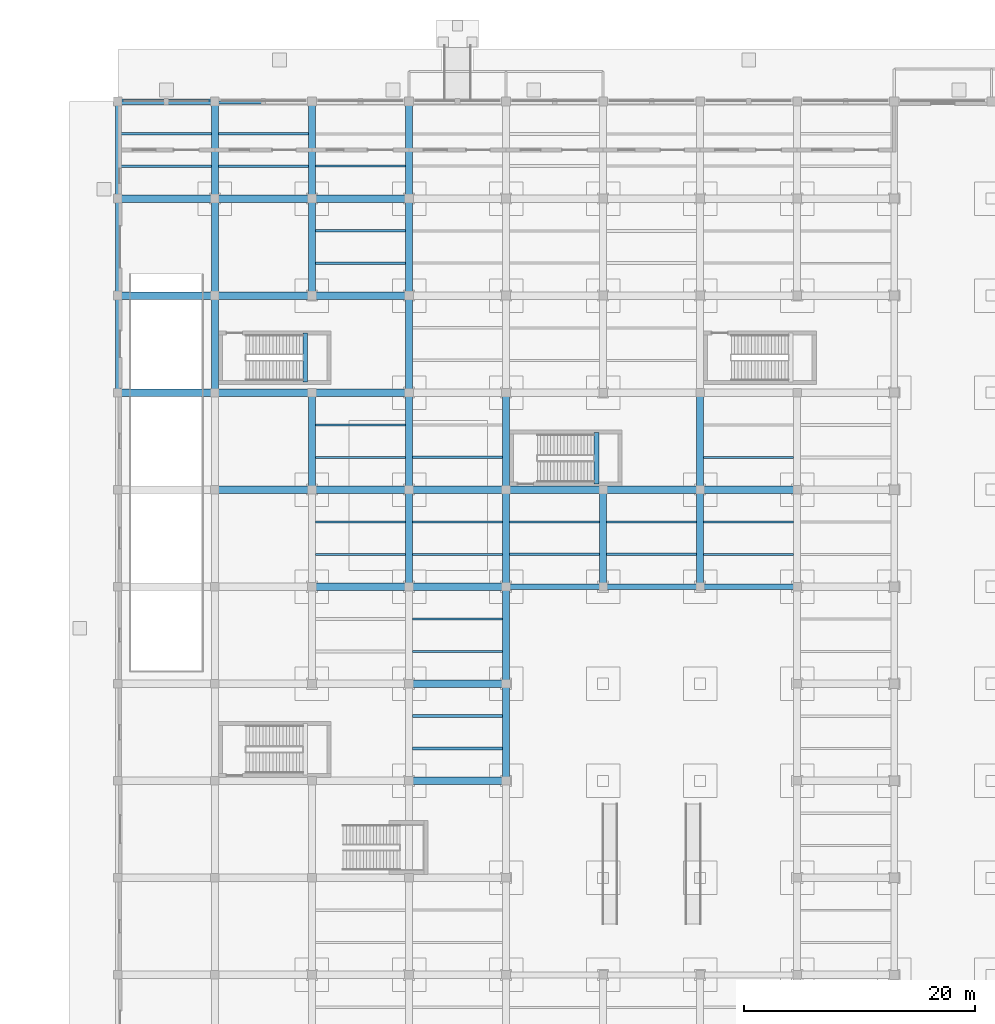
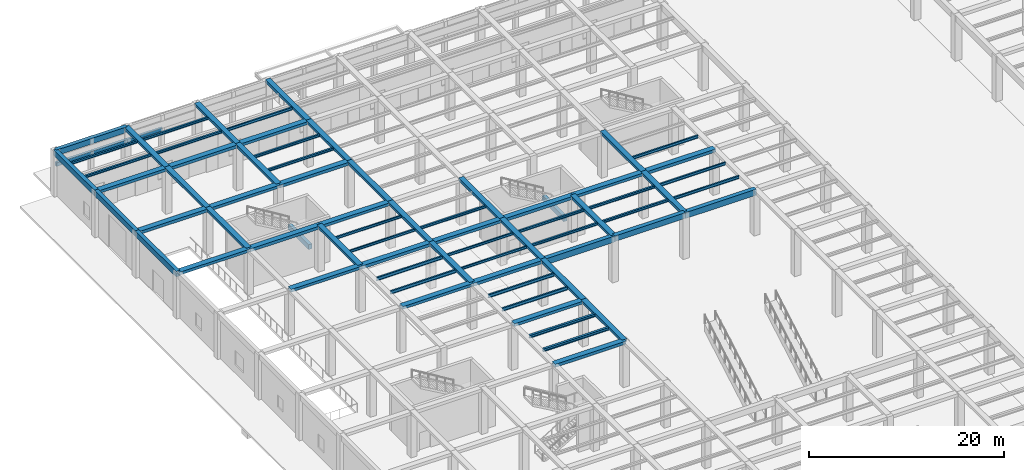
# One storey, part 8 of 43: 74 beams.
"""IFC4 building model written with IfcOpenShell, lengths in metres."""

from ifc_helpers import new_model, si_unit, direction, frame, origin, origin_2d, place, context, subcontext, project, spatial, rectangle, i_section, extrude, material, material_profile, profile_set, type_object, element, save


model = new_model("IFC4")

# Units and contexts
model_context = context("Model", 3, precision=1e-05, world=origin(), true_north=direction((0.0, 1.0)))
body_context = subcontext(model_context, "Body", "Model", "MODEL_VIEW")
ifc_project = project(units=[si_unit("LENGTHUNIT", "METRE"), si_unit("AREAUNIT", "SQUARE_METRE"), si_unit("VOLUMEUNIT", "CUBIC_METRE"), si_unit("PLANEANGLEUNIT", "RADIAN"), si_unit("MASSUNIT", "GRAM", prefix="KILO")], contexts=[model_context])

# Site, building, storey
site_placement = place(None, origin())
site = spatial("IfcSite", under=ifc_project, at=site_placement, CompositionType="ELEMENT")
building_placement = place(site_placement, origin())
building = spatial("IfcBuilding", under=site, at=building_placement, Name="Almacenes y Pasaje Nevantli", CompositionType="ELEMENT")
storey_placement = place(building_placement, origin())
storey = spatial("IfcBuildingStorey", under=building, at=storey_placement, Name="L01", CompositionType="ELEMENT", Elevation=0.0)

# Beams
ifc_material_1 = material(Name="Concrete C35/45", Category="concrete")
ifc_material_profile_1 = material_profile(ifc_material_1, rectangle(XDim=0.39990234375, YDim=0.60009765625, at=origin_2d()), Name="RC-BM-400x600")
ifc_profile_set_1 = profile_set([ifc_material_profile_1], Name="Concrete C35/45")
beam_type_1 = type_object("IfcBeamType", Name="BM-RC-400x600", PredefinedType="SPANDREL", material=ifc_profile_set_1)
beam_1_placement = place(storey_placement, frame((16.22998046875, 93.300048828125, 2.5), z_axis=(0.0, 1.0, 0.0), x_axis=(-1.0, 0.0, 0.0)))
element("IfcBeam", 1, at=beam_1_placement, inside=storey, type_object=beam_type_1, Name="L01 Stair ST-03 Half-Landing Support Beam", PredefinedType="SPANDREL", context=body_context, shape_type="SweptSolid", body=[
    extrude(rectangle(XDim=0.39990234375, YDim=0.60009765625, at=origin_2d()), origin(), (0.0, 0.0, 1.0), 4.25),
])
beam_2_placement = place(storey_placement, frame((41.429931640625, 84.5, 2.5), z_axis=(0.0, 1.0, 0.0), x_axis=(-1.0, 0.0, 0.0)))
element("IfcBeam", 2, at=beam_2_placement, inside=storey, type_object=beam_type_1, Name="L01 Stair ST-15 Half-Landing Support Beam", PredefinedType="SPANDREL", context=body_context, shape_type="SweptSolid", body=[
    extrude(rectangle(XDim=0.39990234375, YDim=0.60009765625, at=origin_2d()), origin(), (0.0, 0.0, 1.0), 4.449951171875),
])
ifc_material_2 = material(Name="Concrete C35/45", Category="concrete")
ifc_material_profile_2 = material_profile(ifc_material_2, rectangle(XDim=0.449951171875, YDim=0.699951171875, at=origin_2d()), Name="RC-BM-450x700")
ifc_profile_set_2 = profile_set([ifc_material_profile_2], Name="Concrete C35/45")
beam_type_2 = type_object("IfcBeamType", Name="BM-RC-450x700", PredefinedType="SPANDREL", material=ifc_profile_set_2)
beam_3_placement = place(storey_placement, frame((0.0, 117.60009765625, 5.35009765625), z_axis=(1.0, 0.0, 0.0), x_axis=(0.0, 1.0, 0.0)))
element("IfcBeam", 3, at=beam_3_placement, inside=storey, type_object=beam_type_2, Name="L01 East-West Reinforced Concrete Beam #1432", PredefinedType="SPANDREL", context=body_context, shape_type="SweptSolid", body=[
    extrude(rectangle(XDim=0.449951171875, YDim=0.699951171875, at=origin_2d()), origin(), (0.0, 0.0, 1.0), 8.39990234375),
])
beam_4_placement = place(storey_placement, frame((0.0, 92.39990234375, 5.35009765625), z_axis=(0.0, 1.0, 0.0), x_axis=(-1.0, 0.0, 0.0)))
element("IfcBeam", 4, at=beam_4_placement, inside=storey, type_object=beam_type_2, Name="L01 North-South Reinforced Concrete Beam #1460", PredefinedType="SPANDREL", context=body_context, shape_type="SweptSolid", body=[
    extrude(rectangle(XDim=0.449951171875, YDim=0.699951171875, at=origin_2d()), origin(), (0.0, 0.0, 1.0), 8.400146484375),
])
beam_5_placement = place(storey_placement, frame((0.0, 100.800048828125, 5.35009765625), z_axis=(0.0, 1.0, 0.0), x_axis=(-1.0, 0.0, 0.0)))
element("IfcBeam", 5, at=beam_5_placement, inside=storey, type_object=beam_type_2, Name="L01 North-South Reinforced Concrete Beam #1461", PredefinedType="SPANDREL", context=body_context, shape_type="SweptSolid", body=[
    extrude(rectangle(XDim=0.449951171875, YDim=0.699951171875, at=origin_2d()), origin(), (0.0, 0.0, 1.0), 8.39990234375),
])
beam_6_placement = place(storey_placement, frame((0.0, 109.199951171875, 5.35009765625), z_axis=(0.0, 1.0, 0.0), x_axis=(-1.0, 0.0, 0.0)))
element("IfcBeam", 6, at=beam_6_placement, inside=storey, type_object=beam_type_2, Name="L01 North-South Reinforced Concrete Beam #1462", PredefinedType="SPANDREL", context=body_context, shape_type="SweptSolid", body=[
    extrude(rectangle(XDim=0.449951171875, YDim=0.699951171875, at=origin_2d()), origin(), (0.0, 0.0, 1.0), 8.400146484375),
])
ifc_material_3 = material(Name="Concrete C35/45", Category="concrete")
ifc_material_profile_3 = material_profile(ifc_material_3, rectangle(XDim=0.5, YDim=0.699951171875, at=origin_2d()), Name="RC-BM-500x700")
ifc_profile_set_3 = profile_set([ifc_material_profile_3], Name="Concrete C35/45")
beam_type_3 = type_object("IfcBeamType", Name="BM-RC-500x700", PredefinedType="BEAM", material=ifc_profile_set_3)
beam_7_placement = place(storey_placement, frame((42.0, 75.60009765625, 5.35009765625), z_axis=(1.0, 0.0, 0.0), x_axis=(0.0, 1.0, 0.0)))
element("IfcBeam", 7, at=beam_7_placement, inside=storey, type_object=beam_type_3, Name="L01 East-West Reinforced Concrete Beam #1352", PredefinedType="BEAM", context=body_context, shape_type="SweptSolid", body=[
    extrude(rectangle(XDim=0.5, YDim=0.699951171875, at=origin_2d()), origin(), (0.0, 0.0, 1.0), 8.39990234375),
])
ifc_material_4 = material(Name="Concrete C35/45", Category="concrete")
ifc_material_profile_4 = material_profile(ifc_material_4, rectangle(XDim=0.5, YDim=0.75, at=origin_2d()), Name="RC-BM-500x750")
ifc_profile_set_4 = profile_set([ifc_material_profile_4], Name="Concrete C35/45")
beam_type_4 = type_object("IfcBeamType", Name="BM-RC-500x750", PredefinedType="BEAM", material=ifc_profile_set_4)
beam_8_placement = place(storey_placement, frame((33.60009765625, 75.60009765625, 5.324951171875), z_axis=(1.0, 0.0, 0.0), x_axis=(0.0, 1.0, 0.0)))
element("IfcBeam", 8, at=beam_8_placement, inside=storey, type_object=beam_type_4, Name="L01 East-West Reinforced Concrete Beam #1351", PredefinedType="BEAM", context=body_context, shape_type="SweptSolid", body=[
    extrude(rectangle(XDim=0.5, YDim=0.75, at=origin_2d()), origin(), (0.0, 0.0, 1.0), 8.39990234375),
])
beam_9_placement = place(storey_placement, frame((50.39990234375, 75.60009765625, 5.324951171875), z_axis=(1.0, 0.0, 0.0), x_axis=(0.0, 1.0, 0.0)))
element("IfcBeam", 9, at=beam_9_placement, inside=storey, type_object=beam_type_4, Name="L01 East-West Reinforced Concrete Beam #1353", PredefinedType="BEAM", context=body_context, shape_type="SweptSolid", body=[
    extrude(rectangle(XDim=0.5, YDim=0.75, at=origin_2d()), origin(), (0.0, 0.0, 1.0), 8.400146484375),
])
ifc_material_5 = material(Name="Concrete C35/45", Category="concrete")
ifc_material_profile_5 = material_profile(ifc_material_5, rectangle(XDim=0.60009765625, YDim=0.320068359375, at=origin_2d()), Name="RC-BM-600x320")
ifc_profile_set_5 = profile_set([ifc_material_profile_5], Name="Concrete C35/45")
beam_type_5 = type_object("IfcBeamType", Name="BM-RC-600x320", PredefinedType="BEAM", material=ifc_profile_set_5)
beam_10_placement = place(storey_placement, frame((8.39990234375, 100.800048828125, 5.5400390625), z_axis=(0.0, 1.0, 0.0), x_axis=(-1.0, 0.0, 0.0)))
element("IfcBeam", 10, at=beam_10_placement, inside=storey, type_object=beam_type_5, Name="L01 North-South Reinforced Concrete Beam #1472", PredefinedType="BEAM", context=body_context, shape_type="SweptSolid", body=[
    extrude(rectangle(XDim=0.60009765625, YDim=0.320068359375, at=origin_2d()), origin(), (0.0, 0.0, 1.0), 8.39990234375),
])
beam_11_placement = place(storey_placement, frame((16.800048828125, 109.199951171875, 5.5400390625), z_axis=(0.0, 1.0, 0.0), x_axis=(-1.0, 0.0, 0.0)))
element("IfcBeam", 11, at=beam_11_placement, inside=storey, type_object=beam_type_5, Name="L01 North-South Reinforced Concrete Beam #1482", PredefinedType="BEAM", context=body_context, shape_type="SweptSolid", body=[
    extrude(rectangle(XDim=0.60009765625, YDim=0.320068359375, at=origin_2d()), origin(), (0.0, 0.0, 1.0), 8.400146484375),
])
for number, where, z_axis, x_axis, name in (
    (12, (25.199951171875, 84.0, 5.5400390625), (0.0, 1.0, 0.0), (-1.0, 0.0, 0.0), "L01 North-South Reinforced Concrete Beam #1493"),
    (13, (25.199951171875, 100.800048828125, 5.5400390625), (0.0, 1.0, 0.0), (-1.0, 0.0, 0.0), "L01 North-South Reinforced Concrete Beam #1495"),
    (14, (33.60009765625, 58.800048828125, 5.5400390625), (0.0, 1.0, 0.0), (-1.0, 0.0, 0.0), "L01 North-South Reinforced Concrete Beam #1503"),
    (15, (33.60009765625, 75.60009765625, 5.5400390625), (0.0, 1.0, 0.0), (-1.0, 0.0, 0.0), "L01 North-South Reinforced Concrete Beam #1505"),
    (16, (50.39990234375, 75.60009765625, 5.5400390625), (0.0, 1.0, 0.0), (-1.0, 0.0, 0.0), "L01 North-South Reinforced Concrete Beam #1523"),
):
    element("IfcBeam", number, at=place(storey_placement, frame(where, z_axis=z_axis, x_axis=x_axis)), inside=storey, type_object=beam_type_5, Name=name, PredefinedType="BEAM", context=body_context, shape_type="SweptSolid", body=[
        extrude(rectangle(XDim=0.60009765625, YDim=0.320068359375, at=origin_2d()), origin(), (0.0, 0.0, 1.0), 8.39990234375),
    ])
ifc_material_6 = material(Name="Concrete C35/45", Category="concrete")
ifc_material_profile_6 = material_profile(ifc_material_6, rectangle(XDim=0.60009765625, YDim=0.340087890625, at=origin_2d()), Name="RC-BM-600x340")
ifc_profile_set_6 = profile_set([ifc_material_profile_6], Name="Concrete C35/45")
beam_type_6 = type_object("IfcBeamType", Name="BM-RC-600x340", PredefinedType="BEAM", material=ifc_profile_set_6)
for number, where, z_axis, x_axis, name in (
    (17, (8.39990234375, 92.39990234375, 5.530029296875), (0.0, 1.0, 0.0), (-1.0, 0.0, 0.0), "L01 North-South Reinforced Concrete Beam #1471"),
    (18, (8.39990234375, 109.199951171875, 5.530029296875), (0.0, 1.0, 0.0), (-1.0, 0.0, 0.0), "L01 North-South Reinforced Concrete Beam #1473"),
):
    element("IfcBeam", number, at=place(storey_placement, frame(where, z_axis=z_axis, x_axis=x_axis)), inside=storey, type_object=beam_type_6, Name=name, PredefinedType="BEAM", context=body_context, shape_type="SweptSolid", body=[
        extrude(rectangle(XDim=0.60009765625, YDim=0.340087890625, at=origin_2d()), origin(), (0.0, 0.0, 1.0), 8.400146484375),
    ])
for number, where, z_axis, x_axis, name in (
    (19, (16.800048828125, 84.0, 5.530029296875), (0.0, 1.0, 0.0), (-1.0, 0.0, 0.0), "L01 North-South Reinforced Concrete Beam #1480"),
    (20, (16.800048828125, 100.800048828125, 5.530029296875), (0.0, 1.0, 0.0), (-1.0, 0.0, 0.0), "L01 North-South Reinforced Concrete Beam #1481"),
    (21, (25.199951171875, 75.60009765625, 5.530029296875), (0.0, 1.0, 0.0), (-1.0, 0.0, 0.0), "L01 North-South Reinforced Concrete Beam #1492"),
):
    element("IfcBeam", number, at=place(storey_placement, frame(where, z_axis=z_axis, x_axis=x_axis)), inside=storey, type_object=beam_type_6, Name=name, PredefinedType="BEAM", context=body_context, shape_type="SweptSolid", body=[
        extrude(rectangle(XDim=0.60009765625, YDim=0.340087890625, at=origin_2d()), origin(), (0.0, 0.0, 1.0), 8.39990234375),
    ])
for number, where, z_axis, x_axis, name in (
    (22, (25.199951171875, 92.39990234375, 5.530029296875), (0.0, 1.0, 0.0), (-1.0, 0.0, 0.0), "L01 North-South Reinforced Concrete Beam #1494"),
    (23, (25.199951171875, 109.199951171875, 5.530029296875), (0.0, 1.0, 0.0), (-1.0, 0.0, 0.0), "L01 North-South Reinforced Concrete Beam #1496"),
    (24, (33.60009765625, 67.199951171875, 5.530029296875), (0.0, 1.0, 0.0), (-1.0, 0.0, 0.0), "L01 North-South Reinforced Concrete Beam #1504"),
):
    element("IfcBeam", number, at=place(storey_placement, frame(where, z_axis=z_axis, x_axis=x_axis)), inside=storey, type_object=beam_type_6, Name=name, PredefinedType="BEAM", context=body_context, shape_type="SweptSolid", body=[
        extrude(rectangle(XDim=0.60009765625, YDim=0.340087890625, at=origin_2d()), origin(), (0.0, 0.0, 1.0), 8.400146484375),
    ])
for number, where, z_axis, x_axis, name in (
    (25, (33.60009765625, 84.0, 5.530029296875), (0.0, 1.0, 0.0), (-1.0, 0.0, 0.0), "L01 North-South Reinforced Concrete Beam #1506"),
    (26, (42.0, 75.60009765625, 5.530029296875), (0.0, 1.0, 0.0), (-1.0, 0.0, 0.0), "L01 North-South Reinforced Concrete Beam #1515"),
    (27, (50.39990234375, 84.0, 5.530029296875), (0.0, 1.0, 0.0), (-1.0, 0.0, 0.0), "L01 North-South Reinforced Concrete Beam #1524"),
):
    element("IfcBeam", number, at=place(storey_placement, frame(where, z_axis=z_axis, x_axis=x_axis)), inside=storey, type_object=beam_type_6, Name=name, PredefinedType="BEAM", context=body_context, shape_type="SweptSolid", body=[
        extrude(rectangle(XDim=0.60009765625, YDim=0.340087890625, at=origin_2d()), origin(), (0.0, 0.0, 1.0), 8.39990234375),
    ])
ifc_material_7 = material(Name="Concrete C35/45", Category="concrete")
ifc_material_profile_7 = material_profile(ifc_material_7, rectangle(XDim=0.64990234375, YDim=0.35009765625, at=origin_2d()), Name="RC-BM-650x350")
ifc_profile_set_7 = profile_set([ifc_material_profile_7], Name="Concrete C35/45")
beam_type_7 = type_object("IfcBeamType", Name="BM-RC-650x350", PredefinedType="BEAM", material=ifc_profile_set_7)
beam_12_placement = place(storey_placement, frame((25.199951171875, 67.199951171875, 5.52490234375), z_axis=(1.0, 0.0, 0.0), x_axis=(0.0, 1.0, 0.0)))
element("IfcBeam", 28, at=beam_12_placement, inside=storey, type_object=beam_type_7, Name="L01 East-West Reinforced Concrete Beam #1336", PredefinedType="BEAM", context=body_context, shape_type="SweptSolid", body=[
    extrude(rectangle(XDim=0.64990234375, YDim=0.35009765625, at=origin_2d()), origin(), (0.0, 0.0, 1.0), 8.400146484375),
])
beam_13_placement = place(storey_placement, frame((16.800048828125, 75.60009765625, 5.52490234375), z_axis=(1.0, 0.0, 0.0), x_axis=(0.0, 1.0, 0.0)))
element("IfcBeam", 29, at=beam_13_placement, inside=storey, type_object=beam_type_7, Name="L01 East-West Reinforced Concrete Beam #1349", PredefinedType="BEAM", context=body_context, shape_type="SweptSolid", body=[
    extrude(rectangle(XDim=0.64990234375, YDim=0.35009765625, at=origin_2d()), origin(), (0.0, 0.0, 1.0), 8.39990234375),
])
for number, where, z_axis, x_axis, name in (
    (30, (8.39990234375, 84.0, 5.52490234375), (1.0, 0.0, 0.0), (0.0, 1.0, 0.0), "L01 East-West Reinforced Concrete Beam #1365"),
    (31, (25.199951171875, 84.0, 5.52490234375), (1.0, 0.0, 0.0), (0.0, 1.0, 0.0), "L01 East-West Reinforced Concrete Beam #1367"),
):
    element("IfcBeam", number, at=place(storey_placement, frame(where, z_axis=z_axis, x_axis=x_axis)), inside=storey, type_object=beam_type_7, Name=name, PredefinedType="BEAM", context=body_context, shape_type="SweptSolid", body=[
        extrude(rectangle(XDim=0.64990234375, YDim=0.35009765625, at=origin_2d()), origin(), (0.0, 0.0, 1.0), 8.400146484375),
    ])
for number, where, z_axis, x_axis, name in (
    (32, (42.0, 84.0, 5.52490234375), (1.0, 0.0, 0.0), (0.0, 1.0, 0.0), "L01 East-West Reinforced Concrete Beam #1369"),
    (33, (0.0, 92.39990234375, 5.52490234375), (1.0, 0.0, 0.0), (0.0, 1.0, 0.0), "L01 East-West Reinforced Concrete Beam #1381"),
    (34, (16.800048828125, 92.39990234375, 5.52490234375), (1.0, 0.0, 0.0), (0.0, 1.0, 0.0), "L01 East-West Reinforced Concrete Beam #1383"),
):
    element("IfcBeam", number, at=place(storey_placement, frame(where, z_axis=z_axis, x_axis=x_axis)), inside=storey, type_object=beam_type_7, Name=name, PredefinedType="BEAM", context=body_context, shape_type="SweptSolid", body=[
        extrude(rectangle(XDim=0.64990234375, YDim=0.35009765625, at=origin_2d()), origin(), (0.0, 0.0, 1.0), 8.39990234375),
    ])
beam_14_placement = place(storey_placement, frame((8.39990234375, 100.800048828125, 5.52490234375), z_axis=(1.0, 0.0, 0.0), x_axis=(0.0, 1.0, 0.0)))
element("IfcBeam", 35, at=beam_14_placement, inside=storey, type_object=beam_type_7, Name="L01 East-West Reinforced Concrete Beam #1399", PredefinedType="BEAM", context=body_context, shape_type="SweptSolid", body=[
    extrude(rectangle(XDim=0.64990234375, YDim=0.35009765625, at=origin_2d()), origin(), (0.0, 0.0, 1.0), 8.400146484375),
])
for number, where, z_axis, x_axis, name in (
    (36, (0.0, 109.199951171875, 5.52490234375), (1.0, 0.0, 0.0), (0.0, 1.0, 0.0), "L01 East-West Reinforced Concrete Beam #1415"),
    (37, (16.800048828125, 109.199951171875, 5.52490234375), (1.0, 0.0, 0.0), (0.0, 1.0, 0.0), "L01 East-West Reinforced Concrete Beam #1417"),
):
    element("IfcBeam", number, at=place(storey_placement, frame(where, z_axis=z_axis, x_axis=x_axis)), inside=storey, type_object=beam_type_7, Name=name, PredefinedType="BEAM", context=body_context, shape_type="SweptSolid", body=[
        extrude(rectangle(XDim=0.64990234375, YDim=0.35009765625, at=origin_2d()), origin(), (0.0, 0.0, 1.0), 8.39990234375),
    ])
ifc_material_8 = material(Name="Concrete C35/45", Category="concrete")
ifc_material_profile_8 = material_profile(ifc_material_8, rectangle(XDim=0.64990234375, YDim=0.3798828125, at=origin_2d()), Name="RC-BM-650x380")
ifc_profile_set_8 = profile_set([ifc_material_profile_8], Name="Concrete C35/45")
beam_type_8 = type_object("IfcBeamType", Name="BM-RC-650x380", PredefinedType="BEAM", material=ifc_profile_set_8)
for number, where, z_axis, x_axis, name in (
    (38, (25.199951171875, 58.800048828125, 5.510009765625), (1.0, 0.0, 0.0), (0.0, 1.0, 0.0), "L01 East-West Reinforced Concrete Beam #1322"),
    (39, (25.199951171875, 75.60009765625, 5.510009765625), (1.0, 0.0, 0.0), (0.0, 1.0, 0.0), "L01 East-West Reinforced Concrete Beam #1350"),
):
    element("IfcBeam", number, at=place(storey_placement, frame(where, z_axis=z_axis, x_axis=x_axis)), inside=storey, type_object=beam_type_8, Name=name, PredefinedType="BEAM", context=body_context, shape_type="SweptSolid", body=[
        extrude(rectangle(XDim=0.64990234375, YDim=0.3798828125, at=origin_2d()), origin(), (0.0, 0.0, 1.0), 8.400146484375),
    ])
for number, where, z_axis, x_axis, name in (
    (40, (16.800048828125, 84.0, 5.510009765625), (1.0, 0.0, 0.0), (0.0, 1.0, 0.0), "L01 East-West Reinforced Concrete Beam #1366"),
    (41, (33.60009765625, 84.0, 5.510009765625), (1.0, 0.0, 0.0), (0.0, 1.0, 0.0), "L01 East-West Reinforced Concrete Beam #1368"),
):
    element("IfcBeam", number, at=place(storey_placement, frame(where, z_axis=z_axis, x_axis=x_axis)), inside=storey, type_object=beam_type_8, Name=name, PredefinedType="BEAM", context=body_context, shape_type="SweptSolid", body=[
        extrude(rectangle(XDim=0.64990234375, YDim=0.3798828125, at=origin_2d()), origin(), (0.0, 0.0, 1.0), 8.39990234375),
    ])
for number, where, z_axis, x_axis, name in (
    (42, (50.39990234375, 84.0, 5.510009765625), (1.0, 0.0, 0.0), (0.0, 1.0, 0.0), "L01 East-West Reinforced Concrete Beam #1370"),
    (43, (8.39990234375, 92.39990234375, 5.510009765625), (1.0, 0.0, 0.0), (0.0, 1.0, 0.0), "L01 East-West Reinforced Concrete Beam #1382"),
):
    element("IfcBeam", number, at=place(storey_placement, frame(where, z_axis=z_axis, x_axis=x_axis)), inside=storey, type_object=beam_type_8, Name=name, PredefinedType="BEAM", context=body_context, shape_type="SweptSolid", body=[
        extrude(rectangle(XDim=0.64990234375, YDim=0.3798828125, at=origin_2d()), origin(), (0.0, 0.0, 1.0), 8.400146484375),
    ])
for number, where, z_axis, x_axis, name in (
    (44, (0.0, 100.800048828125, 5.510009765625), (1.0, 0.0, 0.0), (0.0, 1.0, 0.0), "L01 East-West Reinforced Concrete Beam #1398"),
    (45, (16.800048828125, 100.800048828125, 5.510009765625), (1.0, 0.0, 0.0), (0.0, 1.0, 0.0), "L01 East-West Reinforced Concrete Beam #1400"),
):
    element("IfcBeam", number, at=place(storey_placement, frame(where, z_axis=z_axis, x_axis=x_axis)), inside=storey, type_object=beam_type_8, Name=name, PredefinedType="BEAM", context=body_context, shape_type="SweptSolid", body=[
        extrude(rectangle(XDim=0.64990234375, YDim=0.3798828125, at=origin_2d()), origin(), (0.0, 0.0, 1.0), 8.39990234375),
    ])
beam_15_placement = place(storey_placement, frame((8.39990234375, 109.199951171875, 5.510009765625), z_axis=(1.0, 0.0, 0.0), x_axis=(0.0, 1.0, 0.0)))
element("IfcBeam", 46, at=beam_15_placement, inside=storey, type_object=beam_type_8, Name="L01 East-West Reinforced Concrete Beam #1416", PredefinedType="BEAM", context=body_context, shape_type="SweptSolid", body=[
    extrude(rectangle(XDim=0.64990234375, YDim=0.3798828125, at=origin_2d()), origin(), (0.0, 0.0, 1.0), 8.400146484375),
])
ifc_material_9 = material(Name="Concrete C35/45", Category="concrete")
ifc_material_profile_9 = material_profile(ifc_material_9, rectangle(XDim=0.25, YDim=0.39990234375, at=origin_2d()), Name="RC-LIN-250x400")
ifc_profile_set_9 = profile_set([ifc_material_profile_9], Name="Concrete C35/45")
beam_type_9 = type_object("IfcBeamType", Name="BM-RC-LIN250", PredefinedType="LINTEL", material=ifc_profile_set_9)
beam_16_placement = place(storey_placement, frame((8.39990234375, 117.5, 3.89990234375), z_axis=(1.0, 0.0, 0.0), x_axis=(0.0, 1.0, 0.0)))
element("IfcBeam", 47, at=beam_16_placement, inside=storey, type_object=beam_type_9, Name="L01 Boulevard Portales Architrave Beam 2A", PredefinedType="LINTEL", context=body_context, shape_type="SweptSolid", body=[
    extrude(rectangle(XDim=0.25, YDim=0.39990234375, at=origin_2d()), origin(), (0.0, 0.0, 1.0), 4.2001953125),
])
ifc_material_10 = material(Name="Concrete C35/45", Category="concrete")
ifc_material_profile_10 = material_profile(ifc_material_10, rectangle(XDim=0.300048828125, YDim=0.449951171875, at=origin_2d()), Name="RC-LIN-300x450")
ifc_profile_set_10 = profile_set([ifc_material_profile_10], Name="Concrete C35/45")
beam_type_10 = type_object("IfcBeamType", Name="BM-RC-LIN300", PredefinedType="LINTEL", material=ifc_profile_set_10)
for number, where, z_axis, x_axis, name in (
    (48, (0.0, 117.5, 3.875), (1.0, 0.0, 0.0), (0.0, 1.0, 0.0), "L01 Boulevard Portales Architrave Beam 1A"),
    (49, (4.199951171875, 117.5, 3.875), (1.0, 0.0, 0.0), (0.0, 1.0, 0.0), "L01 Boulevard Portales Architrave Beam 1B"),
):
    element("IfcBeam", number, at=place(storey_placement, frame(where, z_axis=z_axis, x_axis=x_axis)), inside=storey, type_object=beam_type_10, Name=name, PredefinedType="LINTEL", context=body_context, shape_type="SweptSolid", body=[
        extrude(rectangle(XDim=0.300048828125, YDim=0.449951171875, at=origin_2d()), origin(), (0.0, 0.0, 1.0), 4.199951171875),
    ])
ifc_material_11 = material(Name="Steel ASTM A992", Category="steel")
ifc_material_profile_11 = material_profile(ifc_material_11, i_section(OverallWidth=0.1650390625, OverallDepth=0.306884765625, WebThickness=0.006591796875, FlangeThickness=0.01025390625, at=origin_2d()), Name="IR 305x44.6")
ifc_profile_set_11 = profile_set([ifc_material_profile_11], Name="Steel ASTM A992")
beam_type_11 = type_object("IfcBeamType", Name="BM-STL-IR-305x44p6", PredefinedType="JOIST", material=ifc_profile_set_11)
for number, where, z_axis, x_axis, name in (
    (50, (17.10009765625, 86.800048828125, 5.53857421875), (1.0, 0.0, 0.0), (0.0, 1.0, 0.0), "L01 Secondary Steel Floor Joist #15"),
    (51, (17.10009765625, 89.60009765625, 5.53857421875), (1.0, 0.0, 0.0), (0.0, 1.0, 0.0), "L01 Secondary Steel Floor Joist #16"),
):
    element("IfcBeam", number, at=place(storey_placement, frame(where, z_axis=z_axis, x_axis=x_axis)), inside=storey, type_object=beam_type_11, Name=name, PredefinedType="JOIST", context=body_context, shape_type="SweptSolid", body=[
        extrude(i_section(OverallWidth=0.1650390625, OverallDepth=0.306884765625, WebThickness=0.006591796875, FlangeThickness=0.01025390625, at=origin_2d()), origin(), (0.0, 0.0, 1.0), 7.7998046875),
    ])
for number, where, z_axis, x_axis, name in (
    (52, (25.5, 78.39990234375, 5.53857421875), (1.0, 0.0, 0.0), (0.0, 1.0, 0.0), "L01 Secondary Steel Floor Joist #35"),
    (53, (25.5, 81.199951171875, 5.53857421875), (1.0, 0.0, 0.0), (0.0, 1.0, 0.0), "L01 Secondary Steel Floor Joist #36"),
):
    element("IfcBeam", number, at=place(storey_placement, frame(where, z_axis=z_axis, x_axis=x_axis)), inside=storey, type_object=beam_type_11, Name=name, PredefinedType="JOIST", context=body_context, shape_type="SweptSolid", body=[
        extrude(i_section(OverallWidth=0.1650390625, OverallDepth=0.306884765625, WebThickness=0.006591796875, FlangeThickness=0.01025390625, at=origin_2d()), origin(), (0.0, 0.0, 1.0), 7.800048828125),
    ])
ifc_material_12 = material(Name="Steel ASTM A992", Category="steel")
ifc_material_profile_12 = material_profile(ifc_material_12, i_section(OverallWidth=0.202880859375, OverallDepth=0.304931640625, WebThickness=0.007568359375, FlangeThickness=0.01318359375, at=origin_2d()), Name="IR 305x59.5")
ifc_profile_set_12 = profile_set([ifc_material_profile_12], Name="Steel ASTM A992")
beam_type_12 = type_object("IfcBeamType", Name="BM-STL-IR-305x59p5", PredefinedType="JOIST", material=ifc_profile_set_12)
for number, where, z_axis, x_axis, name in (
    (54, (0.22509765625, 112.0, 5.53955078125), (1.0, 0.0, 0.0), (0.0, 1.0, 0.0), "L01 Secondary Steel Floor Joist #1"),
    (55, (0.22509765625, 114.800048828125, 5.53955078125), (1.0, 0.0, 0.0), (0.0, 1.0, 0.0), "L01 Secondary Steel Floor Joist #2"),
):
    element("IfcBeam", number, at=place(storey_placement, frame(where, z_axis=z_axis, x_axis=x_axis)), inside=storey, type_object=beam_type_12, Name=name, PredefinedType="JOIST", context=body_context, shape_type="SweptSolid", body=[
        extrude(i_section(OverallWidth=0.202880859375, OverallDepth=0.304931640625, WebThickness=0.007568359375, FlangeThickness=0.01318359375, at=origin_2d()), origin(), (0.0, 0.0, 1.0), 7.875),
    ])
for number, where, z_axis, x_axis, name in (
    (56, (25.5, 86.800048828125, 5.53955078125), (1.0, 0.0, 0.0), (0.0, 1.0, 0.0), "L01 Secondary Steel Floor Joist #37"),
    (57, (33.89990234375, 78.39990234375, 5.53955078125), (1.0, 0.0, 0.0), (0.0, 1.0, 0.0), "L01 Secondary Steel Floor Joist #53"),
    (58, (33.89990234375, 81.199951171875, 5.53955078125), (1.0, 0.0, 0.0), (0.0, 1.0, 0.0), "L01 Secondary Steel Floor Joist #54"),
):
    element("IfcBeam", number, at=place(storey_placement, frame(where, z_axis=z_axis, x_axis=x_axis)), inside=storey, type_object=beam_type_12, Name=name, PredefinedType="JOIST", context=body_context, shape_type="SweptSolid", body=[
        extrude(i_section(OverallWidth=0.202880859375, OverallDepth=0.304931640625, WebThickness=0.007568359375, FlangeThickness=0.01318359375, at=origin_2d()), origin(), (0.0, 0.0, 1.0), 7.800048828125),
    ])
ifc_material_13 = material(Name="Steel ASTM A992", Category="steel")
ifc_material_profile_13 = material_profile(ifc_material_13, i_section(OverallWidth=0.205078125, OverallDepth=0.31005859375, WebThickness=0.009521484375, FlangeThickness=0.016357421875, at=origin_2d()), Name="IR 305x74.4")
ifc_profile_set_13 = profile_set([ifc_material_profile_13], Name="Steel ASTM A992")
beam_type_13 = type_object("IfcBeamType", Name="BM-STL-IR-305x74p4", PredefinedType="JOIST", material=ifc_profile_set_13)
for number, where, z_axis, x_axis, name in (
    (59, (8.699951171875, 112.0, 5.537109375), (1.0, 0.0, 0.0), (0.0, 1.0, 0.0), "L01 Secondary Steel Floor Joist #3"),
    (60, (8.699951171875, 114.800048828125, 5.537109375), (1.0, 0.0, 0.0), (0.0, 1.0, 0.0), "L01 Secondary Steel Floor Joist #4"),
):
    element("IfcBeam", number, at=place(storey_placement, frame(where, z_axis=z_axis, x_axis=x_axis)), inside=storey, type_object=beam_type_13, Name=name, PredefinedType="JOIST", context=body_context, shape_type="SweptSolid", body=[
        extrude(i_section(OverallWidth=0.205078125, OverallDepth=0.31005859375, WebThickness=0.009521484375, FlangeThickness=0.016357421875, at=origin_2d()), origin(), (0.0, 0.0, 1.0), 7.800048828125),
    ])
for number, where, z_axis, x_axis, name in (
    (61, (17.10009765625, 103.60009765625, 5.537109375), (1.0, 0.0, 0.0), (0.0, 1.0, 0.0), "L01 Secondary Steel Floor Joist #17"),
    (62, (17.10009765625, 106.39990234375, 5.537109375), (1.0, 0.0, 0.0), (0.0, 1.0, 0.0), "L01 Secondary Steel Floor Joist #18"),
):
    element("IfcBeam", number, at=place(storey_placement, frame(where, z_axis=z_axis, x_axis=x_axis)), inside=storey, type_object=beam_type_13, Name=name, PredefinedType="JOIST", context=body_context, shape_type="SweptSolid", body=[
        extrude(i_section(OverallWidth=0.205078125, OverallDepth=0.31005859375, WebThickness=0.009521484375, FlangeThickness=0.016357421875, at=origin_2d()), origin(), (0.0, 0.0, 1.0), 7.7998046875),
    ])
for number, where, z_axis, x_axis, name in (
    (63, (42.300048828125, 78.39990234375, 5.537109375), (1.0, 0.0, 0.0), (0.0, 1.0, 0.0), "L01 Secondary Steel Floor Joist #69"),
    (64, (42.300048828125, 81.199951171875, 5.537109375), (1.0, 0.0, 0.0), (0.0, 1.0, 0.0), "L01 Secondary Steel Floor Joist #70"),
):
    element("IfcBeam", number, at=place(storey_placement, frame(where, z_axis=z_axis, x_axis=x_axis)), inside=storey, type_object=beam_type_13, Name=name, PredefinedType="JOIST", context=body_context, shape_type="SweptSolid", body=[
        extrude(i_section(OverallWidth=0.205078125, OverallDepth=0.31005859375, WebThickness=0.009521484375, FlangeThickness=0.016357421875, at=origin_2d()), origin(), (0.0, 0.0, 1.0), 7.800048828125),
    ])
ifc_material_14 = material(Name="Steel ASTM A992", Category="steel")
ifc_material_profile_14 = material_profile(ifc_material_14, i_section(OverallWidth=0.173095703125, OverallDepth=0.35302734375, WebThickness=0.0078125, FlangeThickness=0.01318359375, at=origin_2d()), Name="IR 356x56.6")
ifc_profile_set_14 = profile_set([ifc_material_profile_14], Name="Steel ASTM A992")
beam_type_14 = type_object("IfcBeamType", Name="BM-STL-IR-356x56p6", PredefinedType="JOIST", material=ifc_profile_set_14)
beam_17_placement = place(storey_placement, frame((17.10009765625, 112.0, 5.515380859375), z_axis=(1.0, 0.0, 0.0), x_axis=(0.0, 1.0, 0.0)))
element("IfcBeam", 65, at=beam_17_placement, inside=storey, type_object=beam_type_14, Name="L01 Secondary Steel Floor Joist #19", PredefinedType="JOIST", context=body_context, shape_type="SweptSolid", body=[
    extrude(i_section(OverallWidth=0.173095703125, OverallDepth=0.35302734375, WebThickness=0.0078125, FlangeThickness=0.01318359375, at=origin_2d()), origin(), (0.0, 0.0, 1.0), 7.7998046875),
])
for number, where, z_axis, x_axis, name in (
    (66, (50.699951171875, 78.39990234375, 5.515380859375), (1.0, 0.0, 0.0), (0.0, 1.0, 0.0), "L01 Secondary Steel Floor Joist #85"),
    (67, (50.699951171875, 81.199951171875, 5.515380859375), (1.0, 0.0, 0.0), (0.0, 1.0, 0.0), "L01 Secondary Steel Floor Joist #86"),
):
    element("IfcBeam", number, at=place(storey_placement, frame(where, z_axis=z_axis, x_axis=x_axis)), inside=storey, type_object=beam_type_14, Name=name, PredefinedType="JOIST", context=body_context, shape_type="SweptSolid", body=[
        extrude(i_section(OverallWidth=0.173095703125, OverallDepth=0.35302734375, WebThickness=0.0078125, FlangeThickness=0.01318359375, at=origin_2d()), origin(), (0.0, 0.0, 1.0), 7.800048828125),
    ])
ifc_material_15 = material(Name="Steel ASTM A992", Category="steel")
ifc_material_profile_15 = material_profile(ifc_material_15, i_section(OverallWidth=0.173095703125, OverallDepth=0.364013671875, WebThickness=0.009033203125, FlangeThickness=0.015625, at=origin_2d()), Name="IR 356x67.0")
ifc_profile_set_15 = profile_set([ifc_material_profile_15], Name="Steel ASTM A992")
beam_type_15 = type_object("IfcBeamType", Name="BM-STL-IR-356x67p0", PredefinedType="JOIST", material=ifc_profile_set_15)
beam_18_placement = place(storey_placement, frame((50.699951171875, 86.800048828125, 5.510009765625), z_axis=(1.0, 0.0, 0.0), x_axis=(0.0, 1.0, 0.0)))
element("IfcBeam", 68, at=beam_18_placement, inside=storey, type_object=beam_type_15, Name="L01 Secondary Steel Floor Joist #87", PredefinedType="JOIST", context=body_context, shape_type="SweptSolid", body=[
    extrude(i_section(OverallWidth=0.173095703125, OverallDepth=0.364013671875, WebThickness=0.009033203125, FlangeThickness=0.015625, at=origin_2d()), origin(), (0.0, 0.0, 1.0), 7.800048828125),
])
ifc_material_16 = material(Name="Steel ASTM A992", Category="steel")
ifc_material_profile_16 = material_profile(ifc_material_16, i_section(OverallWidth=0.25390625, OverallDepth=0.35595703125, WebThickness=0.009521484375, FlangeThickness=0.016357421875, at=origin_2d()), Name="IR 356x79.0")
ifc_profile_set_16 = profile_set([ifc_material_profile_16], Name="Steel ASTM A992")
beam_type_16 = type_object("IfcBeamType", Name="BM-STL-IR-356x79p0", PredefinedType="JOIST", material=ifc_profile_set_16)
for number, where, z_axis, x_axis, name in (
    (69, (25.5, 61.60009765625, 5.513916015625), (1.0, 0.0, 0.0), (0.0, 1.0, 0.0), "L01 Secondary Steel Floor Joist #31"),
    (70, (25.5, 64.39990234375, 5.513916015625), (1.0, 0.0, 0.0), (0.0, 1.0, 0.0), "L01 Secondary Steel Floor Joist #32"),
):
    element("IfcBeam", number, at=place(storey_placement, frame(where, z_axis=z_axis, x_axis=x_axis)), inside=storey, type_object=beam_type_16, Name=name, PredefinedType="JOIST", context=body_context, shape_type="SweptSolid", body=[
        extrude(i_section(OverallWidth=0.25390625, OverallDepth=0.35595703125, WebThickness=0.009521484375, FlangeThickness=0.016357421875, at=origin_2d()), origin(), (0.0, 0.0, 1.0), 7.800048828125),
    ])
ifc_material_17 = material(Name="Steel ASTM A992", Category="steel")
ifc_material_profile_17 = material_profile(ifc_material_17, i_section(OverallWidth=0.178955078125, OverallDepth=0.406005859375, WebThickness=0.0087890625, FlangeThickness=0.014404296875, at=origin_2d()), Name="IR 406x67.0")
ifc_profile_set_17 = profile_set([ifc_material_profile_17], Name="Steel ASTM A992")
beam_type_17 = type_object("IfcBeamType", Name="BM-STL-IR-406x67p0", PredefinedType="JOIST", material=ifc_profile_set_17)
for number, where, z_axis, x_axis, name in (
    (71, (17.10009765625, 78.39990234375, 5.489013671875), (1.0, 0.0, 0.0), (0.0, 1.0, 0.0), "L01 Secondary Steel Floor Joist #13"),
    (72, (17.10009765625, 81.199951171875, 5.489013671875), (1.0, 0.0, 0.0), (0.0, 1.0, 0.0), "L01 Secondary Steel Floor Joist #14"),
):
    element("IfcBeam", number, at=place(storey_placement, frame(where, z_axis=z_axis, x_axis=x_axis)), inside=storey, type_object=beam_type_17, Name=name, PredefinedType="JOIST", context=body_context, shape_type="SweptSolid", body=[
        extrude(i_section(OverallWidth=0.178955078125, OverallDepth=0.406005859375, WebThickness=0.0087890625, FlangeThickness=0.014404296875, at=origin_2d()), origin(), (0.0, 0.0, 1.0), 7.7998046875),
    ])
for number, where, z_axis, x_axis, name in (
    (73, (25.5, 70.0, 5.489013671875), (1.0, 0.0, 0.0), (0.0, 1.0, 0.0), "L01 Secondary Steel Floor Joist #33"),
    (74, (25.5, 72.800048828125, 5.489013671875), (1.0, 0.0, 0.0), (0.0, 1.0, 0.0), "L01 Secondary Steel Floor Joist #34"),
):
    element("IfcBeam", number, at=place(storey_placement, frame(where, z_axis=z_axis, x_axis=x_axis)), inside=storey, type_object=beam_type_17, Name=name, PredefinedType="JOIST", context=body_context, shape_type="SweptSolid", body=[
        extrude(i_section(OverallWidth=0.178955078125, OverallDepth=0.406005859375, WebThickness=0.0087890625, FlangeThickness=0.014404296875, at=origin_2d()), origin(), (0.0, 0.0, 1.0), 7.800048828125),
    ])

save(model, "model.ifc")
